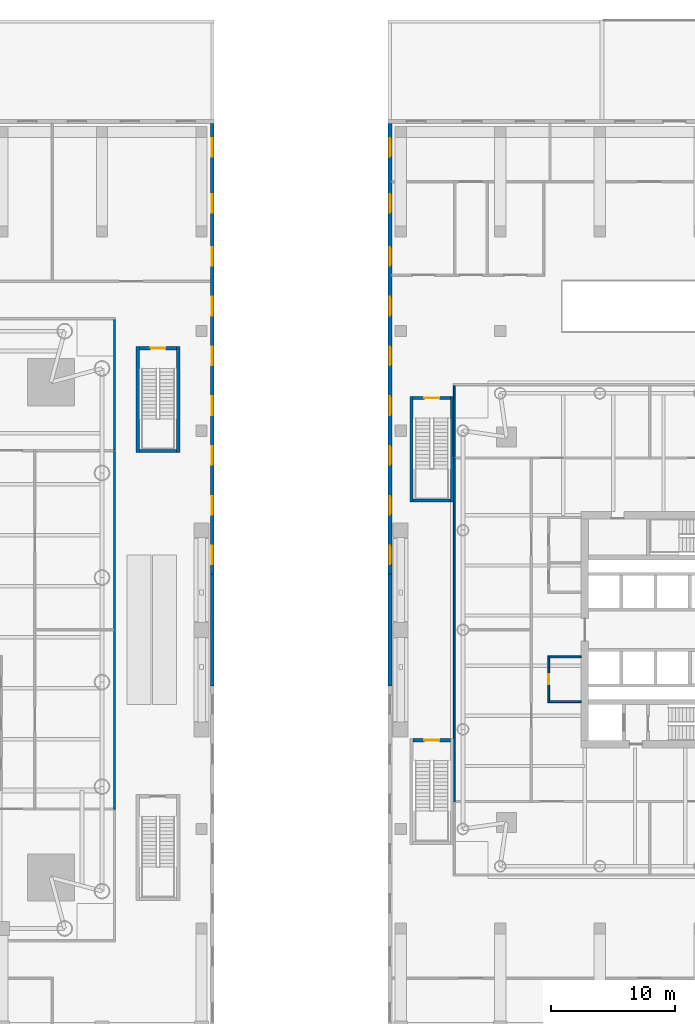
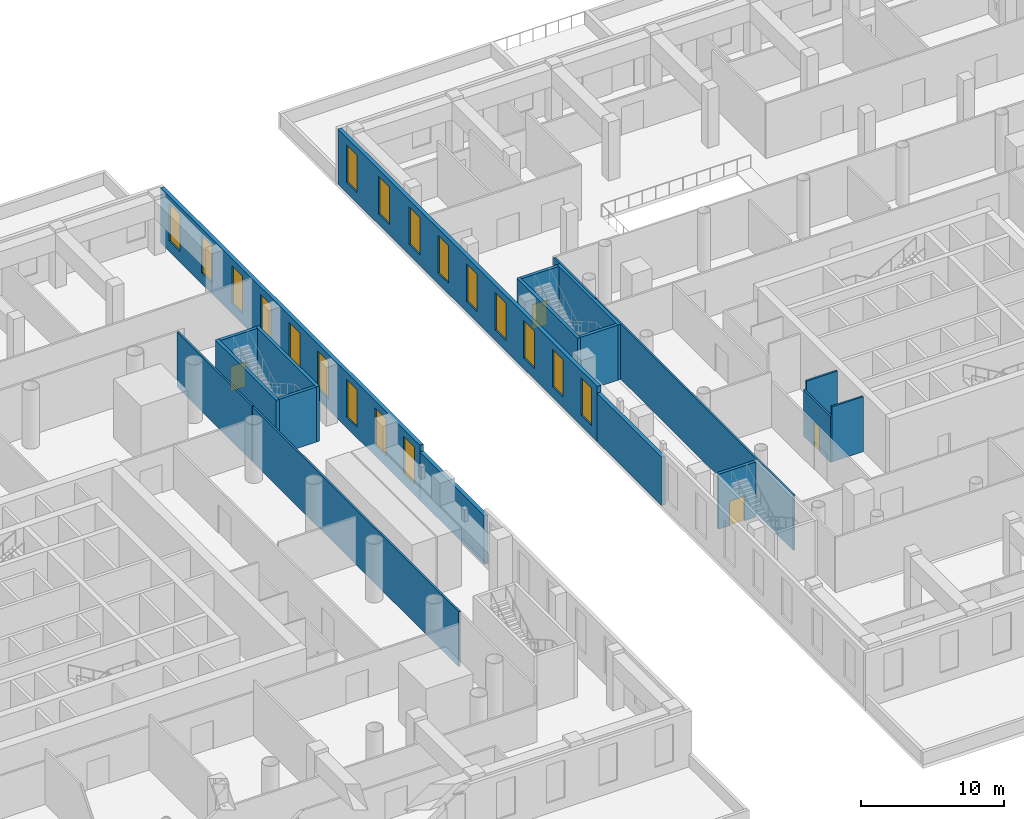
# One storey, part 15 of 26: 20 walls, 18 windows, 4 doors, 22 openings.
"""IFC4 building model written with IfcOpenShell, lengths in metres."""

from ifc_helpers import new_model, si_unit, direction, frame, frame_2d, origin, place, context, subcontext, project, spatial, rectangle, extrude, material, layer, layer_set, type_object, element, fill, save


model = new_model("IFC4")

# Units and contexts
model_context = context("Model", 3, precision=1e-05, world=origin(), true_north=direction((0.0, 1.0)))
body_context = subcontext(model_context, "Body", "Model", "MODEL_VIEW")
ifc_project = project(units=[si_unit("LENGTHUNIT", "METRE"), si_unit("AREAUNIT", "SQUARE_METRE"), si_unit("VOLUMEUNIT", "CUBIC_METRE"), si_unit("PLANEANGLEUNIT", "RADIAN"), si_unit("MASSUNIT", "GRAM", prefix="KILO")], contexts=[model_context])

# Site, building, storey
site_placement = place(None, origin())
site = spatial("IfcSite", under=ifc_project, at=site_placement, CompositionType="ELEMENT")
building_placement = place(site_placement, origin())
building = spatial("IfcBuilding", under=site, at=building_placement, Name="Ostroluk Exchange", CompositionType="ELEMENT")
storey_placement = place(building_placement, frame((0.0, 0.0, 6.0)))
storey = spatial("IfcBuildingStorey", under=building, at=storey_placement, Name="L01", CompositionType="ELEMENT", Elevation=6.0)

# Walls
ifc_material_1 = material(Name="Concrete blockwork", Category="masonry")
ifc_layer_1 = layer(ifc_material_1, 0.25)
ifc_layer_set_1 = layer_set([ifc_layer_1], Name="Blockwork stair enclosure wall 250")
wall_type_1 = type_object("IfcWallType", Name="Blockwork stair enclosure wall 250", PredefinedType="SOLIDWALL", material=ifc_layer_set_1)
for number, where, z_axis, x_axis, name in (
    (1, (71.875, 60.25, 0.0), (0.0, 0.0, 1.0), (0.0, 1.0, 0.0), "Stair PS4 enclosure wall"),
    (2, (75.125, 60.25, 0.0), (0.0, 0.0, 1.0), (0.0, 1.0, 0.0), "Stair PS4 enclosure wall"),
):
    element("IfcWall", number, at=place(storey_placement, frame(where, z_axis=z_axis, x_axis=x_axis)), inside=storey, type_object=wall_type_1, Name=name, PredefinedType="SOLIDWALL", context=body_context, shape_type="SweptSolid", body=[
        extrude(rectangle(XDim=8.5, YDim=0.25, at=frame_2d((4.25, 0.0))), origin(), (0.0, 0.0, 1.0), 4.699951171875),
    ])
wall_1_placement = place(storey_placement, frame((72.0, 60.375, 0.0), z_axis=(0.0, 0.0, 1.0), x_axis=(1.0, 0.0, 0.0)))
element("IfcWall", 3, at=wall_1_placement, inside=storey, type_object=wall_type_1, Name="Stair PS4 enclosure wall", PredefinedType="SOLIDWALL", context=body_context, shape_type="SweptSolid", body=[
    extrude(rectangle(XDim=3.0, YDim=0.25, at=frame_2d((1.5, 0.0))), origin(), (0.0, 0.0, 1.0), 4.699951171875),
])

# Wall, opening, door
wall_2_placement = place(storey_placement, frame((72.0, 68.625, 0.0), z_axis=(0.0, 0.0, 1.0), x_axis=(1.0, 0.0, 0.0)))
wall_2 = element("IfcWall", 4, at=wall_2_placement, inside=storey, type_object=wall_type_1, Name="Stair PS4 enclosure wall", PredefinedType="SOLIDWALL", context=body_context, shape_type="SweptSolid", body=[
    extrude(rectangle(XDim=3.0, YDim=0.25, at=frame_2d((1.5, 0.0))), origin(), (0.0, 0.0, 1.0), 4.699951171875),
])
opening_1_placement = place(wall_2_placement, frame((0.89990234375, 0.0, 0.0)))
opening_1 = element("IfcOpeningElement", 5, at=opening_1_placement, cuts=wall_2, Name="Opening FD60S", PredefinedType="OPENING", context=body_context, shape_type="SweptSolid", body=[
    extrude(rectangle(XDim=1.199951171875, YDim=2.10009765625, at=frame_2d((0.60009765625, 1.050048828125))), frame((0.0, 0.135009765625, 0.0), z_axis=(0.0, -1.0, 0.0), x_axis=(1.0, 0.0, 0.0)), (0.0, 0.0, 1.0), 0.27001953125),
])
ifc_material_2 = material(Name="Steel", Category="steel")
door_type_1 = type_object("IfcDoorType", Name="Stair door EI 60 1200 x 2100", OperationType="SINGLE_SWING_LEFT", PredefinedType="DOOR", material=ifc_material_2)
door_1_placement = place(opening_1_placement, origin())
door_1 = element("IfcDoor", 6, at=door_1_placement, inside=storey, type_object=door_type_1, Name="Stair PS4 door", OperationType="SINGLE_SWING_LEFT", OverallHeight=2.10009765625, OverallWidth=1.199951171875, PredefinedType="DOOR", context=body_context, shape_type="SweptSolid", body=[
    extrude(rectangle(XDim=1.199951171875, YDim=2.10009765625, at=frame_2d((0.60009765625, 1.050048828125))), frame((0.0, 0.02490234375, 0.0), z_axis=(0.0, -1.0, 0.0), x_axis=(1.0, 0.0, 0.0)), (0.0, 0.0, 1.0), 0.050048828125),
])
fill(opening_1, door_1)

wall_3_placement = place(storey_placement, frame((94.0, 37.125, 0.0), z_axis=(0.0, 0.0, 1.0), x_axis=(1.0, 0.0, 0.0)))
wall_3 = element("IfcWall", 7, at=wall_3_placement, inside=storey, type_object=wall_type_1, Name="Stair PS5 enclosure wall", PredefinedType="SOLIDWALL", context=body_context, shape_type="SweptSolid", body=[
    extrude(rectangle(XDim=3.0, YDim=0.25, at=frame_2d((1.5, 0.0))), origin(), (0.0, 0.0, 1.0), 4.699951171875),
])
opening_2_placement = place(wall_3_placement, frame((0.89990234375, 0.0, 0.0)))
opening_2 = element("IfcOpeningElement", 8, at=opening_2_placement, cuts=wall_3, Name="Opening FD60S", PredefinedType="OPENING", context=body_context, shape_type="SweptSolid", body=[
    extrude(rectangle(XDim=1.199951171875, YDim=2.10009765625, at=frame_2d((0.60009765625, 1.050048828125))), frame((0.0, 0.135009765625, 0.0), z_axis=(0.0, -1.0, 0.0), x_axis=(1.0, 0.0, 0.0)), (0.0, 0.0, 1.0), 0.27001953125),
])
door_2_placement = place(opening_2_placement, origin())
door_2 = element("IfcDoor", 9, at=door_2_placement, inside=storey, type_object=door_type_1, Name="Stair PS5 door", OperationType="SINGLE_SWING_LEFT", OverallHeight=2.10009765625, OverallWidth=1.199951171875, PredefinedType="DOOR", context=body_context, shape_type="SweptSolid", body=[
    extrude(rectangle(XDim=1.199951171875, YDim=2.10009765625, at=frame_2d((0.60009765625, 1.050048828125))), frame((0.0, 0.02490234375, 0.0), z_axis=(0.0, -1.0, 0.0), x_axis=(1.0, 0.0, 0.0)), (0.0, 0.0, 1.0), 0.050048828125),
])
fill(opening_2, door_2)

# Walls
for number, where, z_axis, x_axis, name in (
    (10, (93.875, 56.25, 0.0), (0.0, 0.0, 1.0), (0.0, 1.0, 0.0), "Stair PS6 enclosure wall"),
    (11, (97.125, 56.25, 0.0), (0.0, 0.0, 1.0), (0.0, 1.0, 0.0), "Stair PS6 enclosure wall"),
):
    element("IfcWall", number, at=place(storey_placement, frame(where, z_axis=z_axis, x_axis=x_axis)), inside=storey, type_object=wall_type_1, Name=name, PredefinedType="SOLIDWALL", context=body_context, shape_type="SweptSolid", body=[
        extrude(rectangle(XDim=8.5, YDim=0.25, at=frame_2d((4.25, 0.0))), origin(), (0.0, 0.0, 1.0), 4.699951171875),
    ])
wall_4_placement = place(storey_placement, frame((94.0, 56.375, 0.0), z_axis=(0.0, 0.0, 1.0), x_axis=(1.0, 0.0, 0.0)))
element("IfcWall", 12, at=wall_4_placement, inside=storey, type_object=wall_type_1, Name="Stair PS6 enclosure wall", PredefinedType="SOLIDWALL", context=body_context, shape_type="SweptSolid", body=[
    extrude(rectangle(XDim=3.0, YDim=0.25, at=frame_2d((1.5, 0.0))), origin(), (0.0, 0.0, 1.0), 4.699951171875),
])

# Wall, opening, door
wall_5_placement = place(storey_placement, frame((94.0, 64.625, 0.0), z_axis=(0.0, 0.0, 1.0), x_axis=(1.0, 0.0, 0.0)))
wall_5 = element("IfcWall", 13, at=wall_5_placement, inside=storey, type_object=wall_type_1, Name="Stair PS6 enclosure wall", PredefinedType="SOLIDWALL", context=body_context, shape_type="SweptSolid", body=[
    extrude(rectangle(XDim=3.0, YDim=0.25, at=frame_2d((1.5, 0.0))), origin(), (0.0, 0.0, 1.0), 4.699951171875),
])
opening_3_placement = place(wall_5_placement, frame((0.89990234375, 0.0, 0.0)))
opening_3 = element("IfcOpeningElement", 14, at=opening_3_placement, cuts=wall_5, Name="Opening FD60S", PredefinedType="OPENING", context=body_context, shape_type="SweptSolid", body=[
    extrude(rectangle(XDim=1.199951171875, YDim=2.10009765625, at=frame_2d((0.60009765625, 1.050048828125))), frame((0.0, 0.135009765625, 0.0), z_axis=(0.0, -1.0, 0.0), x_axis=(1.0, 0.0, 0.0)), (0.0, 0.0, 1.0), 0.27001953125),
])
door_3_placement = place(opening_3_placement, origin())
door_3 = element("IfcDoor", 15, at=door_3_placement, inside=storey, type_object=door_type_1, Name="Stair PS6 door", OperationType="SINGLE_SWING_LEFT", OverallHeight=2.10009765625, OverallWidth=1.199951171875, PredefinedType="DOOR", context=body_context, shape_type="SweptSolid", body=[
    extrude(rectangle(XDim=1.199951171875, YDim=2.10009765625, at=frame_2d((0.60009765625, 1.050048828125))), frame((0.0, 0.02490234375, 0.0), z_axis=(0.0, -1.0, 0.0), x_axis=(1.0, 0.0, 0.0)), (0.0, 0.0, 1.0), 0.050048828125),
])
fill(opening_3, door_3)

# Wall
ifc_material_3 = material(Name="Limestone", Category="masonry")
ifc_layer_2 = layer(ifc_material_3, 0.300048828125)
ifc_layer_set_2 = layer_set([ifc_layer_2], Name="Limestone facade wall 300")
wall_type_2 = type_object("IfcWallType", Name="Limestone facade wall 300", PredefinedType="SOLIDWALL", material=ifc_layer_set_2)
wall_6_placement = place(storey_placement, frame((77.85009765625, 41.5, 0.0), z_axis=(0.0, 0.0, 1.0), x_axis=(0.0, 1.0, 0.0)))
element("IfcWall", 16, at=wall_6_placement, inside=storey, type_object=wall_type_2, Name="Podium west E wall L01 1b", PredefinedType="SOLIDWALL", context=body_context, shape_type="SweptSolid", body=[
    extrude(rectangle(XDim=9.0, YDim=0.300048828125, at=frame_2d((4.5, 0.0))), origin(), (0.0, 0.0, 1.0), 4.1298828125),
])

# Wall, openings, windows
wall_7_placement = place(storey_placement, frame((77.85009765625, 50.5, 0.0), z_axis=(0.0, 0.0, 1.0), x_axis=(0.0, 1.0, 0.0)))
wall_7 = element("IfcWall", 17, at=wall_7_placement, inside=storey, type_object=wall_type_2, Name="Podium west E wall L01 1c", PredefinedType="SOLIDWALL", context=body_context, shape_type="SweptSolid", body=[
    extrude(rectangle(XDim=36.199951171875, YDim=0.300048828125, at=frame_2d((18.10009765625, 0.0))), origin(), (0.0, 0.0, 1.0), 4.699951171875),
])
opening_4_placement = place(wall_7_placement, frame((0.75, 0.0, 0.89990234375)))
opening_4 = element("IfcOpeningElement", 18, at=opening_4_placement, cuts=wall_7, Name="Opening WN-L2", PredefinedType="OPENING", context=body_context, shape_type="SweptSolid", body=[
    extrude(rectangle(XDim=1.5, YDim=3.199951171875, at=frame_2d((0.75, 1.60009765625))), frame((0.0, 0.159912109375, 0.0), z_axis=(0.0, -1.0, 0.0), x_axis=(1.0, 0.0, 0.0)), (0.0, 0.0, 1.0), 0.320068359375),
])
opening_5_placement = place(wall_7_placement, frame((4.75, 0.0, 0.89990234375)))
opening_5 = element("IfcOpeningElement", 19, at=opening_5_placement, cuts=wall_7, Name="Opening WN-L2", PredefinedType="OPENING", context=body_context, shape_type="SweptSolid", body=[
    extrude(rectangle(XDim=1.5, YDim=3.199951171875, at=frame_2d((0.75, 1.60009765625))), frame((0.0, 0.159912109375, 0.0), z_axis=(0.0, -1.0, 0.0), x_axis=(1.0, 0.0, 0.0)), (0.0, 0.0, 1.0), 0.320068359375),
])
opening_6_placement = place(wall_7_placement, frame((8.75, 0.0, 0.89990234375)))
opening_6 = element("IfcOpeningElement", 20, at=opening_6_placement, cuts=wall_7, Name="Opening WN-L2", PredefinedType="OPENING", context=body_context, shape_type="SweptSolid", body=[
    extrude(rectangle(XDim=1.5, YDim=3.199951171875, at=frame_2d((0.75, 1.60009765625))), frame((0.0, 0.159912109375, 0.0), z_axis=(0.0, -1.0, 0.0), x_axis=(1.0, 0.0, 0.0)), (0.0, 0.0, 1.0), 0.320068359375),
])
opening_7_placement = place(wall_7_placement, frame((12.75, 0.0, 0.89990234375)))
opening_7 = element("IfcOpeningElement", 21, at=opening_7_placement, cuts=wall_7, Name="Opening WN-L2", PredefinedType="OPENING", context=body_context, shape_type="SweptSolid", body=[
    extrude(rectangle(XDim=1.5, YDim=3.199951171875, at=frame_2d((0.75, 1.60009765625))), frame((0.0, 0.159912109375, 0.0), z_axis=(0.0, -1.0, 0.0), x_axis=(1.0, 0.0, 0.0)), (0.0, 0.0, 1.0), 0.320068359375),
])
opening_8_placement = place(wall_7_placement, frame((16.75, 0.0, 0.89990234375)))
opening_8 = element("IfcOpeningElement", 22, at=opening_8_placement, cuts=wall_7, Name="Opening WN-L2", PredefinedType="OPENING", context=body_context, shape_type="SweptSolid", body=[
    extrude(rectangle(XDim=1.5, YDim=3.199951171875, at=frame_2d((0.75, 1.60009765625))), frame((0.0, 0.159912109375, 0.0), z_axis=(0.0, -1.0, 0.0), x_axis=(1.0, 0.0, 0.0)), (0.0, 0.0, 1.0), 0.320068359375),
])
opening_9_placement = place(wall_7_placement, frame((20.75, 0.0, 0.89990234375)))
opening_9 = element("IfcOpeningElement", 23, at=opening_9_placement, cuts=wall_7, Name="Opening WN-L2", PredefinedType="OPENING", context=body_context, shape_type="SweptSolid", body=[
    extrude(rectangle(XDim=1.5, YDim=3.199951171875, at=frame_2d((0.75, 1.60009765625))), frame((0.0, 0.159912109375, 0.0), z_axis=(0.0, -1.0, 0.0), x_axis=(1.0, 0.0, 0.0)), (0.0, 0.0, 1.0), 0.320068359375),
])
opening_10_placement = place(wall_7_placement, frame((24.75, 0.0, 0.89990234375)))
opening_10 = element("IfcOpeningElement", 24, at=opening_10_placement, cuts=wall_7, Name="Opening WN-L2", PredefinedType="OPENING", context=body_context, shape_type="SweptSolid", body=[
    extrude(rectangle(XDim=1.5, YDim=3.199951171875, at=frame_2d((0.75, 1.60009765625))), frame((0.0, 0.159912109375, 0.0), z_axis=(0.0, -1.0, 0.0), x_axis=(1.0, 0.0, 0.0)), (0.0, 0.0, 1.0), 0.320068359375),
])
opening_11_placement = place(wall_7_placement, frame((29.0, 0.0, 0.89990234375)))
opening_11 = element("IfcOpeningElement", 25, at=opening_11_placement, cuts=wall_7, Name="Opening WN-L2", PredefinedType="OPENING", context=body_context, shape_type="SweptSolid", body=[
    extrude(rectangle(XDim=1.5, YDim=3.199951171875, at=frame_2d((0.75, 1.60009765625))), frame((0.0, 0.159912109375, 0.0), z_axis=(0.0, -1.0, 0.0), x_axis=(1.0, 0.0, 0.0)), (0.0, 0.0, 1.0), 0.320068359375),
])
opening_12_placement = place(wall_7_placement, frame((33.5, 0.0, 0.89990234375)))
opening_12 = element("IfcOpeningElement", 26, at=opening_12_placement, cuts=wall_7, Name="Opening WN-L2", PredefinedType="OPENING", context=body_context, shape_type="SweptSolid", body=[
    extrude(rectangle(XDim=1.5, YDim=3.199951171875, at=frame_2d((0.75, 1.60009765625))), frame((0.0, 0.159912109375, 0.0), z_axis=(0.0, -1.0, 0.0), x_axis=(1.0, 0.0, 0.0)), (0.0, 0.0, 1.0), 0.320068359375),
])
ifc_material_4 = material(Name="Laminated clear glass", Category="glass")
window_type = type_object("IfcWindowType", Name="Podium lancet window 1500 x 3200", PartitioningType="DOUBLE_PANEL_VERTICAL", PredefinedType="WINDOW", material=ifc_material_4)
window_1_placement = place(opening_4_placement, origin())
window_1 = element("IfcWindow", 27, at=window_1_placement, inside=storey, type_object=window_type, Name="Podium west lancet window E L01 5.2", OverallHeight=3.199951171875, OverallWidth=1.5, PartitioningType="SINGLE_PANEL", PredefinedType="WINDOW", context=body_context, shape_type="SweptSolid", body=[
    extrude(rectangle(XDim=1.5, YDim=3.199951171875, at=frame_2d((0.75, 1.60009765625))), frame((0.0, 0.030029296875, 0.0), z_axis=(0.0, -1.0, 0.0), x_axis=(1.0, 0.0, 0.0)), (0.0, 0.0, 1.0), 0.06005859375),
])
fill(opening_4, window_1)
window_2_placement = place(opening_5_placement, origin())
window_2 = element("IfcWindow", 28, at=window_2_placement, inside=storey, type_object=window_type, Name="Podium west lancet window E L01 6.1", OverallHeight=3.199951171875, OverallWidth=1.5, PartitioningType="SINGLE_PANEL", PredefinedType="WINDOW", context=body_context, shape_type="SweptSolid", body=[
    extrude(rectangle(XDim=1.5, YDim=3.199951171875, at=frame_2d((0.75, 1.60009765625))), frame((0.0, 0.030029296875, 0.0), z_axis=(0.0, -1.0, 0.0), x_axis=(1.0, 0.0, 0.0)), (0.0, 0.0, 1.0), 0.06005859375),
])
fill(opening_5, window_2)
window_3_placement = place(opening_6_placement, origin())
window_3 = element("IfcWindow", 29, at=window_3_placement, inside=storey, type_object=window_type, Name="Podium west lancet window E L01 6.2", OverallHeight=3.199951171875, OverallWidth=1.5, PartitioningType="SINGLE_PANEL", PredefinedType="WINDOW", context=body_context, shape_type="SweptSolid", body=[
    extrude(rectangle(XDim=1.5, YDim=3.199951171875, at=frame_2d((0.75, 1.60009765625))), frame((0.0, 0.030029296875, 0.0), z_axis=(0.0, -1.0, 0.0), x_axis=(1.0, 0.0, 0.0)), (0.0, 0.0, 1.0), 0.06005859375),
])
fill(opening_6, window_3)
window_4_placement = place(opening_7_placement, origin())
window_4 = element("IfcWindow", 30, at=window_4_placement, inside=storey, type_object=window_type, Name="Podium west lancet window E L01 7.1", OverallHeight=3.199951171875, OverallWidth=1.5, PartitioningType="SINGLE_PANEL", PredefinedType="WINDOW", context=body_context, shape_type="SweptSolid", body=[
    extrude(rectangle(XDim=1.5, YDim=3.199951171875, at=frame_2d((0.75, 1.60009765625))), frame((0.0, 0.030029296875, 0.0), z_axis=(0.0, -1.0, 0.0), x_axis=(1.0, 0.0, 0.0)), (0.0, 0.0, 1.0), 0.06005859375),
])
fill(opening_7, window_4)
window_5_placement = place(opening_8_placement, origin())
window_5 = element("IfcWindow", 31, at=window_5_placement, inside=storey, type_object=window_type, Name="Podium west lancet window E L01 7.2", OverallHeight=3.199951171875, OverallWidth=1.5, PartitioningType="SINGLE_PANEL", PredefinedType="WINDOW", context=body_context, shape_type="SweptSolid", body=[
    extrude(rectangle(XDim=1.5, YDim=3.199951171875, at=frame_2d((0.75, 1.60009765625))), frame((0.0, 0.030029296875, 0.0), z_axis=(0.0, -1.0, 0.0), x_axis=(1.0, 0.0, 0.0)), (0.0, 0.0, 1.0), 0.06005859375),
])
fill(opening_8, window_5)
window_6_placement = place(opening_9_placement, origin())
window_6 = element("IfcWindow", 32, at=window_6_placement, inside=storey, type_object=window_type, Name="Podium west lancet window E L01 8.1", OverallHeight=3.199951171875, OverallWidth=1.5, PartitioningType="SINGLE_PANEL", PredefinedType="WINDOW", context=body_context, shape_type="SweptSolid", body=[
    extrude(rectangle(XDim=1.5, YDim=3.199951171875, at=frame_2d((0.75, 1.60009765625))), frame((0.0, 0.030029296875, 0.0), z_axis=(0.0, -1.0, 0.0), x_axis=(1.0, 0.0, 0.0)), (0.0, 0.0, 1.0), 0.06005859375),
])
fill(opening_9, window_6)
window_7_placement = place(opening_10_placement, origin())
window_7 = element("IfcWindow", 33, at=window_7_placement, inside=storey, type_object=window_type, Name="Podium west lancet window E L01 8.2", OverallHeight=3.199951171875, OverallWidth=1.5, PartitioningType="SINGLE_PANEL", PredefinedType="WINDOW", context=body_context, shape_type="SweptSolid", body=[
    extrude(rectangle(XDim=1.5, YDim=3.199951171875, at=frame_2d((0.75, 1.60009765625))), frame((0.0, 0.030029296875, 0.0), z_axis=(0.0, -1.0, 0.0), x_axis=(1.0, 0.0, 0.0)), (0.0, 0.0, 1.0), 0.06005859375),
])
fill(opening_10, window_7)
window_8_placement = place(opening_11_placement, origin())
window_8 = element("IfcWindow", 34, at=window_8_placement, inside=storey, type_object=window_type, Name="Podium west lancet window E L01 9.1", OverallHeight=3.199951171875, OverallWidth=1.5, PartitioningType="SINGLE_PANEL", PredefinedType="WINDOW", context=body_context, shape_type="SweptSolid", body=[
    extrude(rectangle(XDim=1.5, YDim=3.199951171875, at=frame_2d((0.75, 1.60009765625))), frame((0.0, 0.030029296875, 0.0), z_axis=(0.0, -1.0, 0.0), x_axis=(1.0, 0.0, 0.0)), (0.0, 0.0, 1.0), 0.06005859375),
])
fill(opening_11, window_8)
window_9_placement = place(opening_12_placement, origin())
window_9 = element("IfcWindow", 35, at=window_9_placement, inside=storey, type_object=window_type, Name="Podium west lancet window E L01 9.2", OverallHeight=3.199951171875, OverallWidth=1.5, PartitioningType="SINGLE_PANEL", PredefinedType="WINDOW", context=body_context, shape_type="SweptSolid", body=[
    extrude(rectangle(XDim=1.5, YDim=3.199951171875, at=frame_2d((0.75, 1.60009765625))), frame((0.0, 0.030029296875, 0.0), z_axis=(0.0, -1.0, 0.0), x_axis=(1.0, 0.0, 0.0)), (0.0, 0.0, 1.0), 0.06005859375),
])
fill(opening_12, window_9)

wall_8_placement = place(storey_placement, frame((92.14990234375, 86.699951171875, 0.0), z_axis=(0.0, 0.0, 1.0), x_axis=(0.0, -1.0, 0.0)))
wall_8 = element("IfcWall", 36, at=wall_8_placement, inside=storey, type_object=wall_type_2, Name="Podium east W wall L01 1a", PredefinedType="SOLIDWALL", context=body_context, shape_type="SweptSolid", body=[
    extrude(rectangle(XDim=36.199951171875, YDim=0.300048828125, at=frame_2d((18.10009765625, 0.0))), origin(), (0.0, 0.0, 1.0), 4.699951171875),
])
opening_13_placement = place(wall_8_placement, frame((1.199951171875, 0.0, 0.89990234375)))
opening_13 = element("IfcOpeningElement", 37, at=opening_13_placement, cuts=wall_8, Name="Opening WN-L2", PredefinedType="OPENING", context=body_context, shape_type="SweptSolid", body=[
    extrude(rectangle(XDim=1.5, YDim=3.199951171875, at=frame_2d((0.75, 1.60009765625))), frame((0.0, 0.159912109375, 0.0), z_axis=(0.0, -1.0, 0.0), x_axis=(1.0, 0.0, 0.0)), (0.0, 0.0, 1.0), 0.320068359375),
])
opening_14_placement = place(wall_8_placement, frame((5.699951171875, 0.0, 0.89990234375)))
opening_14 = element("IfcOpeningElement", 38, at=opening_14_placement, cuts=wall_8, Name="Opening WN-L2", PredefinedType="OPENING", context=body_context, shape_type="SweptSolid", body=[
    extrude(rectangle(XDim=1.5, YDim=3.199951171875, at=frame_2d((0.75, 1.60009765625))), frame((0.0, 0.159912109375, 0.0), z_axis=(0.0, -1.0, 0.0), x_axis=(1.0, 0.0, 0.0)), (0.0, 0.0, 1.0), 0.320068359375),
])
opening_15_placement = place(wall_8_placement, frame((9.949951171875, 0.0, 0.89990234375)))
opening_15 = element("IfcOpeningElement", 39, at=opening_15_placement, cuts=wall_8, Name="Opening WN-L2", PredefinedType="OPENING", context=body_context, shape_type="SweptSolid", body=[
    extrude(rectangle(XDim=1.5, YDim=3.199951171875, at=frame_2d((0.75, 1.60009765625))), frame((0.0, 0.159912109375, 0.0), z_axis=(0.0, -1.0, 0.0), x_axis=(1.0, 0.0, 0.0)), (0.0, 0.0, 1.0), 0.320068359375),
])
opening_16_placement = place(wall_8_placement, frame((13.949951171875, 0.0, 0.89990234375)))
opening_16 = element("IfcOpeningElement", 40, at=opening_16_placement, cuts=wall_8, Name="Opening WN-L2", PredefinedType="OPENING", context=body_context, shape_type="SweptSolid", body=[
    extrude(rectangle(XDim=1.5, YDim=3.199951171875, at=frame_2d((0.75, 1.60009765625))), frame((0.0, 0.159912109375, 0.0), z_axis=(0.0, -1.0, 0.0), x_axis=(1.0, 0.0, 0.0)), (0.0, 0.0, 1.0), 0.320068359375),
])
opening_17_placement = place(wall_8_placement, frame((17.949951171875, 0.0, 0.89990234375)))
opening_17 = element("IfcOpeningElement", 41, at=opening_17_placement, cuts=wall_8, Name="Opening WN-L2", PredefinedType="OPENING", context=body_context, shape_type="SweptSolid", body=[
    extrude(rectangle(XDim=1.5, YDim=3.199951171875, at=frame_2d((0.75, 1.60009765625))), frame((0.0, 0.159912109375, 0.0), z_axis=(0.0, -1.0, 0.0), x_axis=(1.0, 0.0, 0.0)), (0.0, 0.0, 1.0), 0.320068359375),
])
opening_18_placement = place(wall_8_placement, frame((21.949951171875, 0.0, 0.89990234375)))
opening_18 = element("IfcOpeningElement", 42, at=opening_18_placement, cuts=wall_8, Name="Opening WN-L2", PredefinedType="OPENING", context=body_context, shape_type="SweptSolid", body=[
    extrude(rectangle(XDim=1.5, YDim=3.199951171875, at=frame_2d((0.75, 1.60009765625))), frame((0.0, 0.159912109375, 0.0), z_axis=(0.0, -1.0, 0.0), x_axis=(1.0, 0.0, 0.0)), (0.0, 0.0, 1.0), 0.320068359375),
])
opening_19_placement = place(wall_8_placement, frame((25.949951171875, 0.0, 0.89990234375)))
opening_19 = element("IfcOpeningElement", 43, at=opening_19_placement, cuts=wall_8, Name="Opening WN-L2", PredefinedType="OPENING", context=body_context, shape_type="SweptSolid", body=[
    extrude(rectangle(XDim=1.5, YDim=3.199951171875, at=frame_2d((0.75, 1.60009765625))), frame((0.0, 0.159912109375, 0.0), z_axis=(0.0, -1.0, 0.0), x_axis=(1.0, 0.0, 0.0)), (0.0, 0.0, 1.0), 0.320068359375),
])
opening_20_placement = place(wall_8_placement, frame((29.949951171875, 0.0, 0.89990234375)))
opening_20 = element("IfcOpeningElement", 44, at=opening_20_placement, cuts=wall_8, Name="Opening WN-L2", PredefinedType="OPENING", context=body_context, shape_type="SweptSolid", body=[
    extrude(rectangle(XDim=1.5, YDim=3.199951171875, at=frame_2d((0.75, 1.60009765625))), frame((0.0, 0.159912109375, 0.0), z_axis=(0.0, -1.0, 0.0), x_axis=(1.0, 0.0, 0.0)), (0.0, 0.0, 1.0), 0.320068359375),
])
opening_21_placement = place(wall_8_placement, frame((33.949951171875, 0.0, 0.89990234375)))
opening_21 = element("IfcOpeningElement", 45, at=opening_21_placement, cuts=wall_8, Name="Opening WN-L2", PredefinedType="OPENING", context=body_context, shape_type="SweptSolid", body=[
    extrude(rectangle(XDim=1.5, YDim=3.199951171875, at=frame_2d((0.75, 1.60009765625))), frame((0.0, 0.159912109375, 0.0), z_axis=(0.0, -1.0, 0.0), x_axis=(1.0, 0.0, 0.0)), (0.0, 0.0, 1.0), 0.320068359375),
])
window_10_placement = place(opening_13_placement, origin())
window_10 = element("IfcWindow", 46, at=window_10_placement, inside=storey, type_object=window_type, Name="Podium east lancet window W L01 1.1", OverallHeight=3.199951171875, OverallWidth=1.5, PartitioningType="SINGLE_PANEL", PredefinedType="WINDOW", context=body_context, shape_type="SweptSolid", body=[
    extrude(rectangle(XDim=1.5, YDim=3.199951171875, at=frame_2d((0.75, 1.60009765625))), frame((0.0, 0.030029296875, 0.0), z_axis=(0.0, -1.0, 0.0), x_axis=(1.0, 0.0, 0.0)), (0.0, 0.0, 1.0), 0.06005859375),
])
fill(opening_13, window_10)
window_11_placement = place(opening_14_placement, origin())
window_11 = element("IfcWindow", 47, at=window_11_placement, inside=storey, type_object=window_type, Name="Podium east lancet window W L01 1.2", OverallHeight=3.199951171875, OverallWidth=1.5, PartitioningType="SINGLE_PANEL", PredefinedType="WINDOW", context=body_context, shape_type="SweptSolid", body=[
    extrude(rectangle(XDim=1.5, YDim=3.199951171875, at=frame_2d((0.75, 1.60009765625))), frame((0.0, 0.030029296875, 0.0), z_axis=(0.0, -1.0, 0.0), x_axis=(1.0, 0.0, 0.0)), (0.0, 0.0, 1.0), 0.06005859375),
])
fill(opening_14, window_11)
window_12_placement = place(opening_15_placement, origin())
window_12 = element("IfcWindow", 48, at=window_12_placement, inside=storey, type_object=window_type, Name="Podium east lancet window W L01 2.1", OverallHeight=3.199951171875, OverallWidth=1.5, PartitioningType="SINGLE_PANEL", PredefinedType="WINDOW", context=body_context, shape_type="SweptSolid", body=[
    extrude(rectangle(XDim=1.5, YDim=3.199951171875, at=frame_2d((0.75, 1.60009765625))), frame((0.0, 0.030029296875, 0.0), z_axis=(0.0, -1.0, 0.0), x_axis=(1.0, 0.0, 0.0)), (0.0, 0.0, 1.0), 0.06005859375),
])
fill(opening_15, window_12)
window_13_placement = place(opening_16_placement, origin())
window_13 = element("IfcWindow", 49, at=window_13_placement, inside=storey, type_object=window_type, Name="Podium east lancet window W L01 2.2", OverallHeight=3.199951171875, OverallWidth=1.5, PartitioningType="SINGLE_PANEL", PredefinedType="WINDOW", context=body_context, shape_type="SweptSolid", body=[
    extrude(rectangle(XDim=1.5, YDim=3.199951171875, at=frame_2d((0.75, 1.60009765625))), frame((0.0, 0.030029296875, 0.0), z_axis=(0.0, -1.0, 0.0), x_axis=(1.0, 0.0, 0.0)), (0.0, 0.0, 1.0), 0.06005859375),
])
fill(opening_16, window_13)
window_14_placement = place(opening_17_placement, origin())
window_14 = element("IfcWindow", 50, at=window_14_placement, inside=storey, type_object=window_type, Name="Podium east lancet window W L01 3.1", OverallHeight=3.199951171875, OverallWidth=1.5, PartitioningType="SINGLE_PANEL", PredefinedType="WINDOW", context=body_context, shape_type="SweptSolid", body=[
    extrude(rectangle(XDim=1.5, YDim=3.199951171875, at=frame_2d((0.75, 1.60009765625))), frame((0.0, 0.030029296875, 0.0), z_axis=(0.0, -1.0, 0.0), x_axis=(1.0, 0.0, 0.0)), (0.0, 0.0, 1.0), 0.06005859375),
])
fill(opening_17, window_14)
window_15_placement = place(opening_18_placement, origin())
window_15 = element("IfcWindow", 51, at=window_15_placement, inside=storey, type_object=window_type, Name="Podium east lancet window W L01 3.2", OverallHeight=3.199951171875, OverallWidth=1.5, PartitioningType="SINGLE_PANEL", PredefinedType="WINDOW", context=body_context, shape_type="SweptSolid", body=[
    extrude(rectangle(XDim=1.5, YDim=3.199951171875, at=frame_2d((0.75, 1.60009765625))), frame((0.0, 0.030029296875, 0.0), z_axis=(0.0, -1.0, 0.0), x_axis=(1.0, 0.0, 0.0)), (0.0, 0.0, 1.0), 0.06005859375),
])
fill(opening_18, window_15)
window_16_placement = place(opening_19_placement, origin())
window_16 = element("IfcWindow", 52, at=window_16_placement, inside=storey, type_object=window_type, Name="Podium east lancet window W L01 4.1", OverallHeight=3.199951171875, OverallWidth=1.5, PartitioningType="SINGLE_PANEL", PredefinedType="WINDOW", context=body_context, shape_type="SweptSolid", body=[
    extrude(rectangle(XDim=1.5, YDim=3.199951171875, at=frame_2d((0.75, 1.60009765625))), frame((0.0, 0.030029296875, 0.0), z_axis=(0.0, -1.0, 0.0), x_axis=(1.0, 0.0, 0.0)), (0.0, 0.0, 1.0), 0.06005859375),
])
fill(opening_19, window_16)
window_17_placement = place(opening_20_placement, origin())
window_17 = element("IfcWindow", 53, at=window_17_placement, inside=storey, type_object=window_type, Name="Podium east lancet window W L01 4.2", OverallHeight=3.199951171875, OverallWidth=1.5, PartitioningType="SINGLE_PANEL", PredefinedType="WINDOW", context=body_context, shape_type="SweptSolid", body=[
    extrude(rectangle(XDim=1.5, YDim=3.199951171875, at=frame_2d((0.75, 1.60009765625))), frame((0.0, 0.030029296875, 0.0), z_axis=(0.0, -1.0, 0.0), x_axis=(1.0, 0.0, 0.0)), (0.0, 0.0, 1.0), 0.06005859375),
])
fill(opening_20, window_17)
window_18_placement = place(opening_21_placement, origin())
window_18 = element("IfcWindow", 54, at=window_18_placement, inside=storey, type_object=window_type, Name="Podium east lancet window W L01 5.1", OverallHeight=3.199951171875, OverallWidth=1.5, PartitioningType="SINGLE_PANEL", PredefinedType="WINDOW", context=body_context, shape_type="SweptSolid", body=[
    extrude(rectangle(XDim=1.5, YDim=3.199951171875, at=frame_2d((0.75, 1.60009765625))), frame((0.0, 0.030029296875, 0.0), z_axis=(0.0, -1.0, 0.0), x_axis=(1.0, 0.0, 0.0)), (0.0, 0.0, 1.0), 0.06005859375),
])
fill(opening_21, window_18)

# Walls
wall_9_placement = place(storey_placement, frame((92.14990234375, 50.5, 0.0), z_axis=(0.0, 0.0, 1.0), x_axis=(0.0, -1.0, 0.0)))
element("IfcWall", 55, at=wall_9_placement, inside=storey, type_object=wall_type_2, Name="Podium east W wall L01 1b", PredefinedType="SOLIDWALL", context=body_context, shape_type="SweptSolid", body=[
    extrude(rectangle(XDim=9.0, YDim=0.300048828125, at=frame_2d((4.5, 0.0))), origin(), (0.0, 0.0, 1.0), 4.1298828125),
])
ifc_material_5 = material(Name="Gypsum plasterboard partition", Category="gypsum")
ifc_layer_3 = layer(ifc_material_5, 0.14990234375)
ifc_layer_set_3 = layer_set([ifc_layer_3], Name="Plasterboard partition 150")
wall_type_3 = type_object("IfcWallType", Name="Plasterboard partition 150", PredefinedType="PARTITIONING", material=ifc_layer_set_3)
wall_10_placement = place(storey_placement, frame((70.0, 60.47509765625, 0.0), z_axis=(0.0, 0.0, 1.0), x_axis=(0.0, 1.0, 0.0)))
element("IfcWall", 56, at=wall_10_placement, inside=storey, type_object=wall_type_3, Name="Partition", PredefinedType="PARTITIONING", context=body_context, shape_type="SweptSolid", body=[
    extrude(rectangle(XDim=10.449951171875, YDim=0.14990234375, at=frame_2d((5.22509765625, 0.0))), origin(), (0.0, 0.0, 1.0), 4.699951171875),
])
wall_11_placement = place(storey_placement, frame((70.0, 31.60009765625, 0.0), z_axis=(0.0, 0.0, 1.0), x_axis=(0.0, 1.0, 0.0)))
element("IfcWall", 57, at=wall_11_placement, inside=storey, type_object=wall_type_3, Name="Partition", PredefinedType="PARTITIONING", context=body_context, shape_type="SweptSolid", body=[
    extrude(rectangle(XDim=28.7998046875, YDim=0.14990234375, at=frame_2d((14.39990234375, 0.0))), origin(), (0.0, 0.0, 1.0), 4.699951171875),
])
wall_12_placement = place(storey_placement, frame((97.300048828125, 59.875, 0.0), z_axis=(0.0, 0.0, 1.0), x_axis=(0.0, 1.0, 0.0)))
element("IfcWall", 58, at=wall_12_placement, inside=storey, type_object=wall_type_3, Name="Partition", PredefinedType="PARTITIONING", context=body_context, shape_type="SweptSolid", body=[
    extrude(rectangle(XDim=5.75, YDim=0.14990234375, at=frame_2d((2.875, 0.0))), origin(), (0.0, 0.0, 1.0), 4.699951171875),
])
wall_13_placement = place(storey_placement, frame((97.300048828125, 32.199951171875, 0.0), z_axis=(0.0, 0.0, 1.0), x_axis=(0.0, 1.0, 0.0)))
element("IfcWall", 59, at=wall_13_placement, inside=storey, type_object=wall_type_3, Name="Partition", PredefinedType="PARTITIONING", context=body_context, shape_type="SweptSolid", body=[
    extrude(rectangle(XDim=27.60009765625, YDim=0.14990234375, at=frame_2d((13.800048828125, 0.0))), origin(), (0.0, 0.0, 1.0), 4.699951171875),
])

# Wall, opening, door
ifc_material_6 = material(Name="Gypsum plasterboard partition, moisture resistant", Category="gypsum")
ifc_layer_4 = layer(ifc_material_6, 0.14990234375)
ifc_layer_set_4 = layer_set([ifc_layer_4], Name="Plasterboard toilet partition 150")
wall_type_4 = type_object("IfcWallType", Name="Plasterboard toilet partition 150", PredefinedType="PARTITIONING", material=ifc_layer_set_4)
wall_14_placement = place(storey_placement, frame((104.89990234375, 43.89990234375, 0.0), z_axis=(0.0, 0.0, 1.0), x_axis=(0.0, -1.0, 0.0)))
wall_14 = element("IfcWall", 60, at=wall_14_placement, inside=storey, type_object=wall_type_4, Name="Toilet partition", PredefinedType="PARTITIONING", context=body_context, shape_type="SweptSolid", body=[
    extrude(rectangle(XDim=3.75, YDim=0.14990234375, at=frame_2d((1.875, 0.0))), origin(), (0.0, 0.0, 1.0), 3.947021484375),
])
opening_22_placement = place(wall_14_placement, frame((1.47509765625, 0.0, 0.0)))
opening_22 = element("IfcOpeningElement", 61, at=opening_22_placement, cuts=wall_14, Name="Opening D-06", PredefinedType="OPENING", context=body_context, shape_type="SweptSolid", body=[
    extrude(rectangle(XDim=0.800048828125, YDim=2.10009765625, at=frame_2d((0.39990234375, 1.050048828125))), frame((0.0, 0.0849609375, 0.0), z_axis=(0.0, -1.0, 0.0), x_axis=(1.0, 0.0, 0.0)), (0.0, 0.0, 1.0), 0.169921875),
])
ifc_material_7 = material(Name="Timber", Category="wood")
door_type_2 = type_object("IfcDoorType", Name="Toilet door 800 x 2100", OperationType="SINGLE_SWING_LEFT", PredefinedType="DOOR", material=ifc_material_7)
door_4_placement = place(opening_22_placement, origin())
door_4 = element("IfcDoor", 62, at=door_4_placement, inside=storey, type_object=door_type_2, Name="WC male door", OperationType="SINGLE_SWING_RIGHT", OverallHeight=2.10009765625, OverallWidth=0.800048828125, PredefinedType="DOOR", context=body_context, shape_type="SweptSolid", body=[
    extrude(rectangle(XDim=0.800048828125, YDim=2.10009765625, at=frame_2d((0.39990234375, 1.050048828125))), frame((0.0, 0.02490234375, 0.0), z_axis=(0.0, -1.0, 0.0), x_axis=(1.0, 0.0, 0.0)), (0.0, 0.0, 1.0), 0.050048828125),
])
fill(opening_22, door_4)

# Walls
for number, where, z_axis, x_axis, name in (
    (63, (104.97509765625, 43.824951171875, 0.0), (0.0, 0.0, 1.0), (1.0, 0.0, 0.0), "Toilet partition"),
    (64, (104.97509765625, 40.22509765625, 0.0), (0.0, 0.0, 1.0), (1.0, 0.0, 0.0), "Toilet partition"),
):
    element("IfcWall", number, at=place(storey_placement, frame(where, z_axis=z_axis, x_axis=x_axis)), inside=storey, type_object=wall_type_4, Name=name, PredefinedType="PARTITIONING", context=body_context, shape_type="SweptSolid", body=[
        extrude(rectangle(XDim=2.52490234375, YDim=0.14990234375, at=frame_2d((1.262451171875, 0.0))), origin(), (0.0, 0.0, 1.0), 4.699951171875),
    ])

save(model, "model.ifc")
